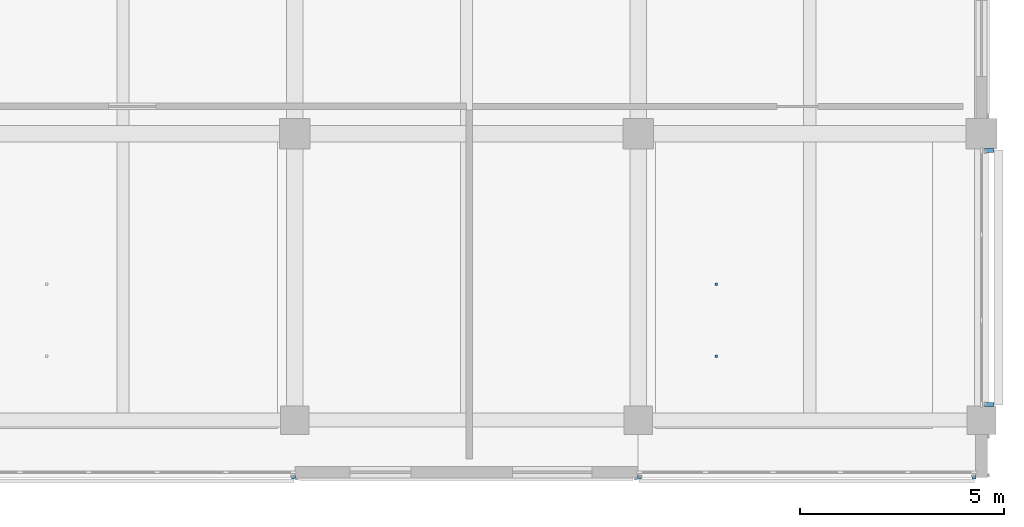
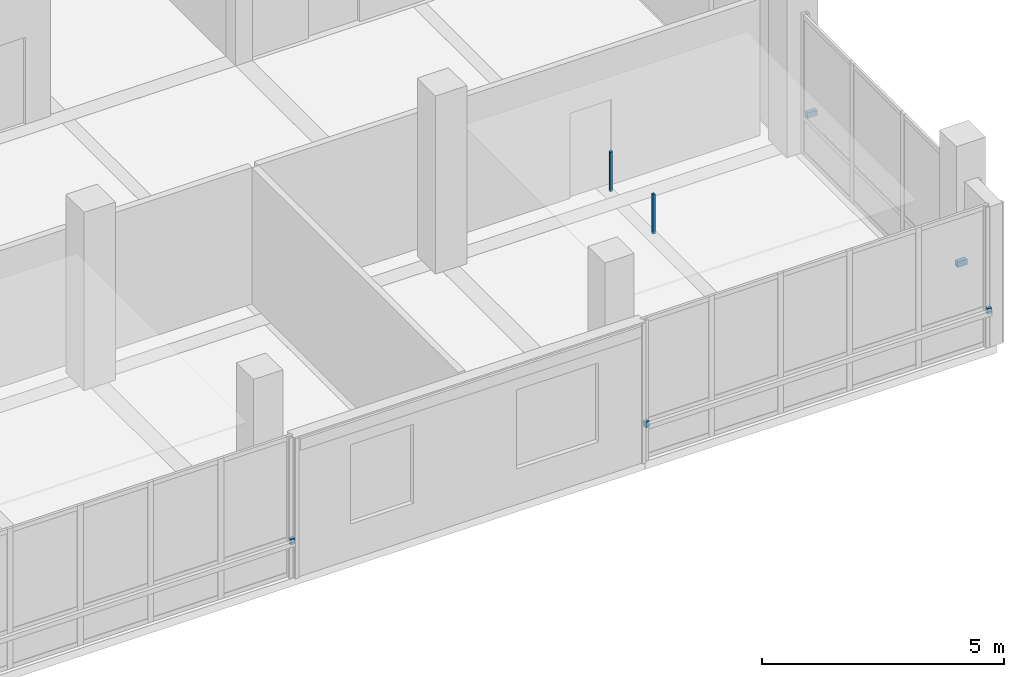
# One storey, part 19 of 32: 7 discrete accessories.
"""IFC4 building model written with IfcOpenShell, lengths in metres."""

from ifc_helpers import new_model, si_unit, direction, frame, origin, origin_2d, place, context, subcontext, project, spatial, rectangle, extrude, material, type_object, element, save


model = new_model("IFC4")

# Units and contexts
model_context = context("Model", 3, precision=1e-05, world=origin(), true_north=direction((0.0, 1.0)))
body_context = subcontext(model_context, "Body", "Model", "MODEL_VIEW")
ifc_project = project(units=[si_unit("LENGTHUNIT", "METRE"), si_unit("AREAUNIT", "SQUARE_METRE"), si_unit("VOLUMEUNIT", "CUBIC_METRE"), si_unit("PLANEANGLEUNIT", "RADIAN"), si_unit("MASSUNIT", "GRAM", prefix="KILO")], contexts=[model_context])

# Site, building, storey
site_placement = place(None, origin())
site = spatial("IfcSite", under=ifc_project, at=site_placement, CompositionType="ELEMENT")
building_placement = place(site_placement, origin())
building = spatial("IfcBuilding", under=site, at=building_placement, Name="Telukmera Botanical Conservatory", CompositionType="ELEMENT")
storey_placement = place(building_placement, frame((0.0, 0.0, 42.0)))
storey = spatial("IfcBuildingStorey", under=building, at=storey_placement, Name="L09", CompositionType="ELEMENT", Elevation=42.0)

# Discrete accessories
ifc_material = material(Name="Steel S355", Category="steel")
discrete_accessory_type_1 = type_object("IfcDiscreteAccessoryType", Name="ACC-CEIL-HGR", PredefinedType="BRACKET", material=ifc_material)
for number, where, z_axis, x_axis, name in (
    (1, (94.3115234375, 12.16259765625, 3.31005859375), (0.0, 0.0, 1.0), (1.0, 0.0, 0.0), "L09 Suspended Ceiling Hanger Rod 032-1"),
    (2, (94.3115234375, 13.925048828125, 3.31005859375), (0.0, 0.0, 1.0), (1.0, 0.0, 0.0), "L09 Suspended Ceiling Hanger Rod 032-2"),
):
    element("IfcDiscreteAccessory", number, at=place(storey_placement, frame(where, z_axis=z_axis, x_axis=x_axis)), inside=storey, type_object=discrete_accessory_type_1, Name=name, PredefinedType="BRACKET", context=body_context, shape_type="SweptSolid", body=[
        extrude(rectangle(XDim=0.06005859375, YDim=0.06005859375, at=origin_2d()), origin(), (0.0, 0.0, 1.0), 0.9951171875),
    ])
discrete_accessory_type_2 = type_object("IfcDiscreteAccessoryType", Name="Structural Steel Facade Outrigger Fin Bracket", PredefinedType="BRACKET", material=ifc_material)
for number, where, z_axis, x_axis, name in (
    (3, (83.968017578125, 9.205078125, 0.8798828125), (0.0, 0.0, 1.0), (1.0, 0.0, 0.0), "Facade Outrigger Bracket V4:L09:S4 B"),
    (4, (92.431884765625, 9.205078125, 0.8798828125), (0.0, 0.0, 1.0), (1.0, 0.0, 0.0), "Facade Outrigger Bracket V4:L09:S6 A"),
    (5, (100.617919921875, 9.205078125, 0.8798828125), (0.0, 0.0, 1.0), (1.0, 0.0, 0.0), "Facade Outrigger Bracket V4:L09:S6 B"),
):
    element("IfcDiscreteAccessory", number, at=place(storey_placement, frame(where, z_axis=z_axis, x_axis=x_axis)), inside=storey, type_object=discrete_accessory_type_2, Name=name, PredefinedType="BRACKET", context=body_context, shape_type="SweptSolid", body=[
        extrude(rectangle(XDim=0.10009765625, YDim=0.090087890625, at=origin_2d()), origin(), (0.0, 0.0, 1.0), 0.139892578125),
    ])
for number, where, z_axis, x_axis, name in (
    (6, (100.989990234375, 10.98193359375, 0.8798828125), (0.0, 0.0, 1.0), (0.0, 1.0, 0.0), "Facade Outrigger Bracket V4:L09:E1 A"),
    (7, (100.989990234375, 17.193115234375, 0.8798828125), (0.0, 0.0, 1.0), (0.0, 1.0, 0.0), "Facade Outrigger Bracket V4:L09:E1 B"),
):
    element("IfcDiscreteAccessory", number, at=place(storey_placement, frame(where, z_axis=z_axis, x_axis=x_axis)), inside=storey, type_object=discrete_accessory_type_2, Name=name, PredefinedType="BRACKET", context=body_context, shape_type="SweptSolid", body=[
        extrude(rectangle(XDim=0.10009765625, YDim=0.239990234375, at=origin_2d()), origin(), (0.0, 0.0, 1.0), 0.139892578125),
    ])

save(model, "model.ifc")
